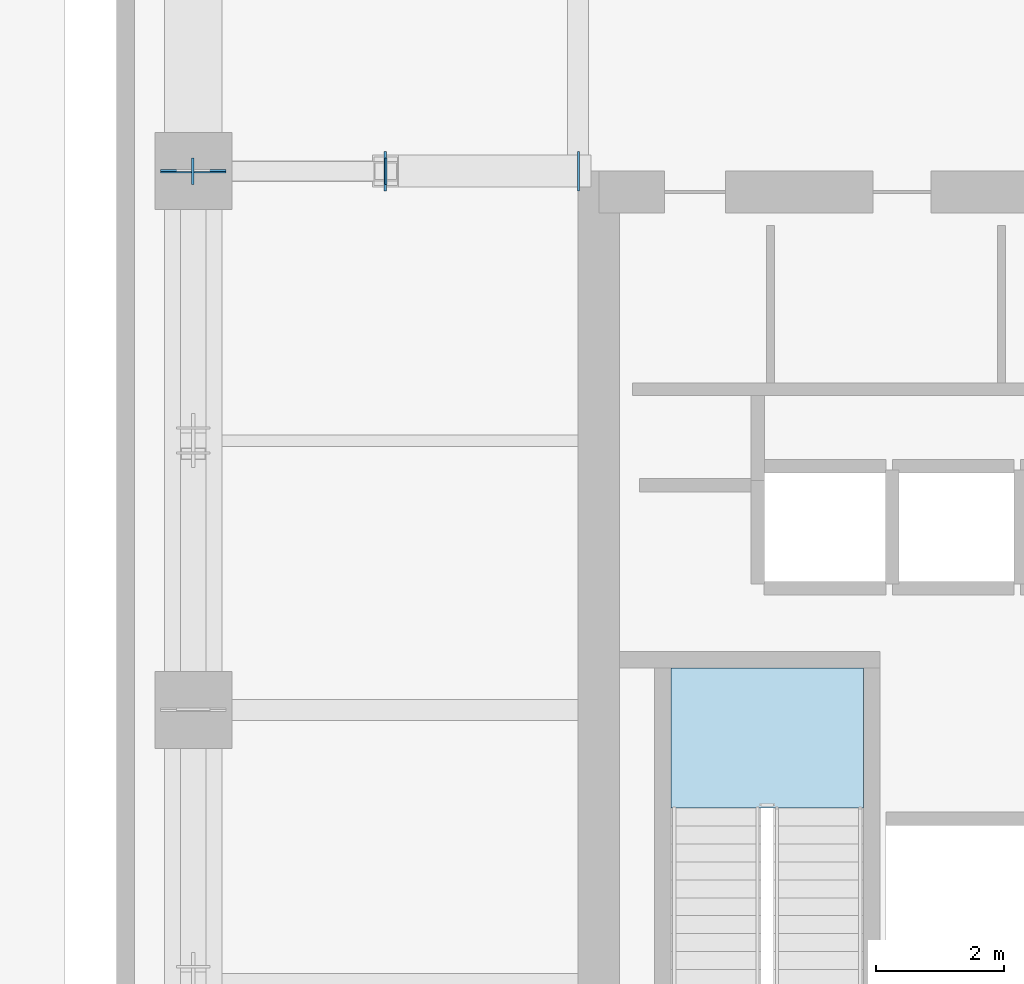
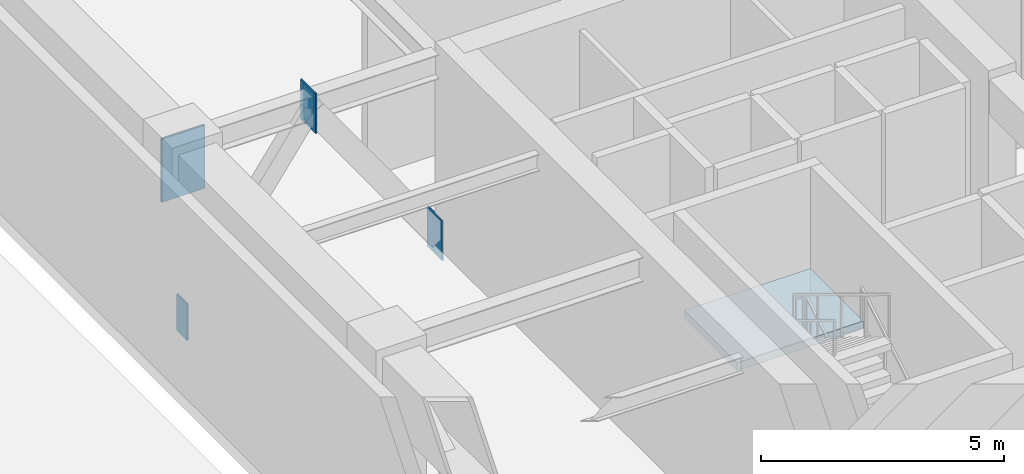
# One storey, part 5 of 16: 6 plates, 1 slab, 1 element without a shape of its own.
"""IFC4 building model written with IfcOpenShell, lengths in metres."""

from ifc_helpers import new_model, si_unit, direction, frame, origin, origin_2d, place, context, subcontext, project, spatial, polyline, rectangle, outline, extrude, material, layer, layer_set, type_object, element, aggregate, save


model = new_model("IFC4")

# Units and contexts
model_context = context("Model", 3, precision=1e-05, world=origin(), true_north=direction((0.0, 1.0)))
body_context = subcontext(model_context, "Body", "Model", "MODEL_VIEW")
ifc_project = project(units=[si_unit("LENGTHUNIT", "METRE"), si_unit("AREAUNIT", "SQUARE_METRE"), si_unit("VOLUMEUNIT", "CUBIC_METRE"), si_unit("PLANEANGLEUNIT", "RADIAN"), si_unit("MASSUNIT", "GRAM", prefix="KILO")], contexts=[model_context])

# Site, building, storey
site_placement = place(None, origin())
site = spatial("IfcSite", under=ifc_project, at=site_placement, CompositionType="ELEMENT")
building_placement = place(site_placement, origin())
building = spatial("IfcBuilding", under=site, at=building_placement, Name="Kiyonajd Concourse Tower", CompositionType="ELEMENT")
storey_placement = place(building_placement, frame((0.0, 0.0, 209.699951171875)))
storey = spatial("IfcBuildingStorey", under=building, at=storey_placement, Name="L53", CompositionType="ELEMENT", Elevation=209.699951171875)

# Plates
ifc_material_1 = material(Name="Steel ASTM A572 Grade 50", Category="steel")
ifc_layer_1 = layer(ifc_material_1, 0.031982421875)
ifc_layer_set_1 = layer_set([ifc_layer_1], Name="Steel ASTM A572 Grade 50")
plate_type = type_object("IfcPlateType", Name="PL-CAP-540", PredefinedType="USERDEFINED", material=ifc_layer_set_1)
for number, where, z_axis, x_axis, name in (
    (1, (32.406494140625, 44.39990234375, -0.2109375), (0.0, 0.0, 1.0), (1.0, 0.0, 0.0), "L53 Outrigger End Cap Plate 03"),
    (2, (29.3935546875, 44.39990234375, 4.037109375), (0.0, 0.0, 1.0), (-1.0, 0.0, 0.0), "L53 Outrigger Far End Cap Plate 03"),
):
    element("IfcPlate", number, at=place(storey_placement, frame(where, z_axis=z_axis, x_axis=x_axis)), inside=storey, type_object=plate_type, Name=name, ObjectType="CAP PLATE", PredefinedType="USERDEFINED", context=body_context, shape_type="SweptSolid", body=[
        extrude(rectangle(XDim=0.035888671875, YDim=0.6201171875, at=origin_2d()), origin(), (0.0, 0.0, 1.0), 1.00390625),
    ])
for number, where, z_axis, x_axis, name in (
    (3, (29.406494140625, 44.39990234375, 4.080078125), (0.0, 0.0, 1.0), (1.0, 0.0, 0.0), "L53 Outrigger End Cap Plate 04"),
    (4, (26.3935546875, 44.39990234375, -0.16796875), (0.0, 0.0, 1.0), (-1.0, 0.0, 0.0), "L53 Outrigger Far End Cap Plate 04"),
):
    element("IfcPlate", number, at=place(storey_placement, frame(where, z_axis=z_axis, x_axis=x_axis)), inside=storey, type_object=plate_type, Name=name, ObjectType="CAP PLATE", PredefinedType="USERDEFINED", context=body_context, shape_type="SweptSolid", body=[
        extrude(rectangle(XDim=0.035888671875, YDim=0.419921875, at=origin_2d()), origin(), (0.0, 0.0, 1.0), 0.91796875),
    ])
for number, where, z_axis, x_axis, name in (
    (5, (26.39990234375, 44.388916015625, 3.35986328125), (0.0, 0.0, 1.0), (0.0, -1.0, 0.0), "L53 Welded Box Girder End Cap"),
    (6, (26.39990234375, 44.410888671875, 3.35986328125), (0.0, 0.0, 1.0), (0.0, 1.0, 0.0), "L53 Welded Box Girder End Cap"),
):
    element("IfcPlate", number, at=place(storey_placement, frame(where, z_axis=z_axis, x_axis=x_axis)), inside=storey, type_object=plate_type, Name=name, ObjectType="CAP PLATE", PredefinedType="USERDEFINED", context=body_context, shape_type="SweptSolid", body=[
        extrude(rectangle(XDim=0.035888671875, YDim=1.02001953125, at=origin_2d()), origin(), (0.0, 0.0, 1.0), 1.590087890625),
    ])

# Stair, slab
ifc_material_2 = material(Name="Concrete C40/50", Category="concrete")
stair_type = type_object("IfcStairType", Name="ST-DLG-30R", PredefinedType="HALF_TURN_STAIR", material=ifc_material_2)
stair_placement = place(storey_placement, origin())
stair = element("IfcStair", 7, at=stair_placement, inside=storey, type_object=stair_type, Name="L53 Protected Exit Stair ST1", PredefinedType="HALF_TURN_STAIR")
ifc_layer_2 = layer(ifc_material_2, 0.199951171875)
ifc_layer_set_2 = layer_set([ifc_layer_2], Name="Concrete C40/50")
slab_type = type_object("IfcSlabType", Name="SL-LND-200", PredefinedType="LANDING", material=ifc_layer_set_2)
slab_placement = place(storey_placement, frame((0.0, 0.0, 2.35009765625)))
slab = element("IfcSlab", 8, at=slab_placement, type_object=slab_type, Name="ST1 landing 1", PredefinedType="LANDING", context=body_context, shape_type="SweptSolid", body=[
    extrude(outline(polyline([(36.85009765625, 34.469970703125), (36.85009765625, 36.64990234375), (33.85009765625, 36.64990234375), (33.85009765625, 34.469970703125), (36.85009765625, 34.469970703125)])), origin(), (0.0, 0.0, 1.0), 0.199951171875),
])
aggregate(stair, [slab])

save(model, "model.ifc")
